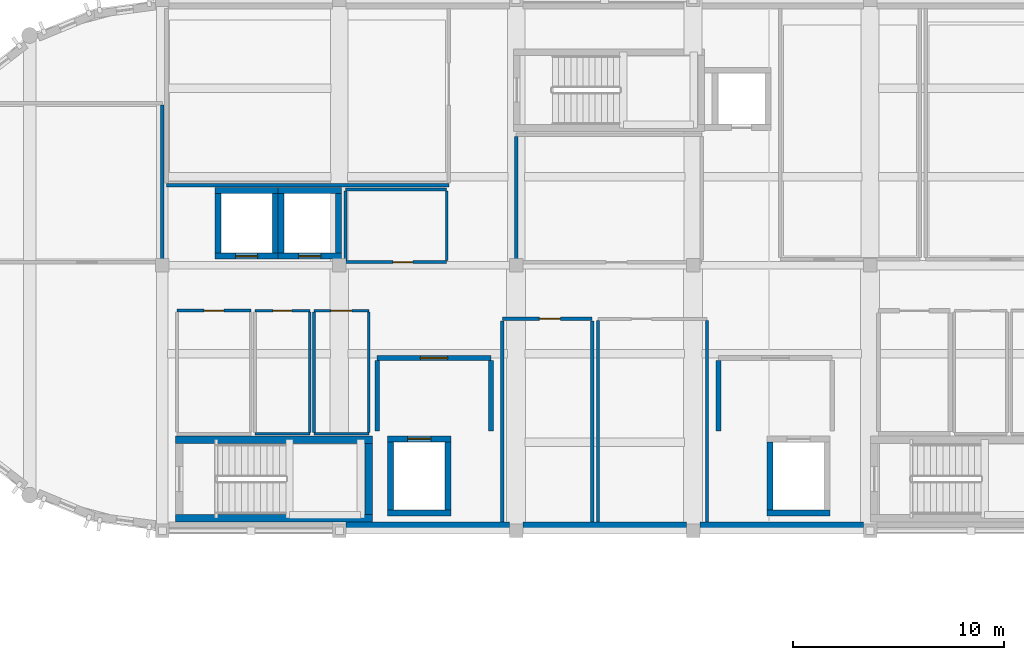
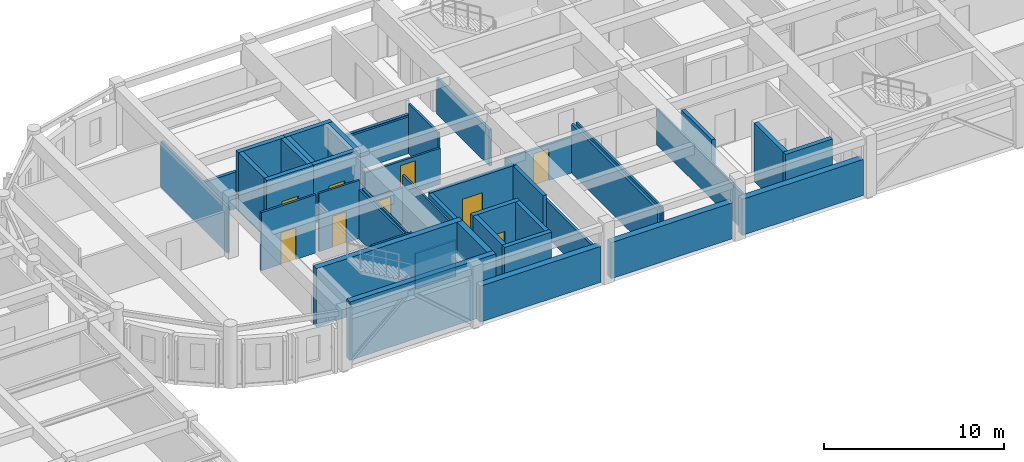
# One storey, part 14 of 31: 44 walls, 9 doors, 9 openings.
"""IFC4 building model written with IfcOpenShell, lengths in metres."""

from ifc_helpers import new_model, si_unit, direction, frame, frame_2d, origin, place, context, subcontext, project, spatial, rectangle, extrude, material, layer, layer_set, type_object, element, fill, save


model = new_model("IFC4")

# Units and contexts
model_context = context("Model", 3, precision=1e-05, world=origin(), true_north=direction((0.0, 1.0)))
body_context = subcontext(model_context, "Body", "Model", "MODEL_VIEW")
ifc_project = project(units=[si_unit("LENGTHUNIT", "METRE"), si_unit("AREAUNIT", "SQUARE_METRE"), si_unit("VOLUMEUNIT", "CUBIC_METRE"), si_unit("PLANEANGLEUNIT", "RADIAN"), si_unit("MASSUNIT", "GRAM", prefix="KILO")], contexts=[model_context])

# Site, building, storey
site_placement = place(None, origin())
site = spatial("IfcSite", under=ifc_project, at=site_placement, CompositionType="ELEMENT")
building_placement = place(site_placement, origin())
building = spatial("IfcBuilding", under=site, at=building_placement, Name="Tarnavel Promenade Courthouse", CompositionType="ELEMENT")
storey_placement = place(building_placement, frame((0.0, 0.0, 18.60009765625)))
storey = spatial("IfcBuildingStorey", under=building, at=storey_placement, Name="L05", CompositionType="ELEMENT", Elevation=18.60009765625)

# Wall
ifc_material_1 = material(Name="Acoustic Insulated Gypsum Stud Partition", Category="gypsum")
ifc_layer_1 = layer(ifc_material_1, 0.1650390625)
ifc_layer_set_1 = layer_set([ifc_layer_1], Name="Acoustic Insulated Gypsum Stud Partition")
wall_type_1 = type_object("IfcWallType", Name="Acoustic Insulated Gypsum Stud Partition WL-CHM-165 (165 mm)", PredefinedType="PARTITIONING", material=ifc_layer_set_1)
wall_1_placement = place(storey_placement, frame((75.60009765625, 92.04248046875, 0.0), z_axis=(0.0, 0.0, 1.0), x_axis=(0.0, 1.0, 0.0)))
element("IfcWall", 1, at=wall_1_placement, inside=storey, type_object=wall_type_1, Name="L05 L05 Judicial Panel Deliberation Salon Partition 0725", PredefinedType="PARTITIONING", context=body_context, shape_type="SweptSolid", body=[
    extrude(rectangle(XDim=5.864990234375, YDim=0.1650390625, at=frame_2d((2.9326171875, 0.0))), origin(), (0.0, 0.0, 1.0), 2.43994140625),
])

# Wall, opening, door
wall_2_placement = place(storey_placement, frame((74.93994140625, 89.260009765625, 0.0), z_axis=(0.0, 0.0, 1.0), x_axis=(1.0, 0.0, 0.0)))
wall_2 = element("IfcWall", 2, at=wall_2_placement, inside=storey, type_object=wall_type_1, Name="L05 Appellate Deliberation Room L05 Partition 0733", PredefinedType="PARTITIONING", context=body_context, shape_type="SweptSolid", body=[
    extrude(rectangle(XDim=4.26513671875, YDim=0.1650390625, at=frame_2d((2.132568359375, 0.0))), origin(), (0.0, 0.0, 1.0), 2.43994140625),
])
opening_1_placement = place(wall_2_placement, frame((1.7607421875, 0.0, 0.0)))
opening_1 = element("IfcOpeningElement", 3, at=opening_1_placement, cuts=wall_2, Name="Opening ID-03", PredefinedType="OPENING", context=body_context, shape_type="SweptSolid", body=[
    extrude(rectangle(XDim=1.0, YDim=2.14990234375, at=frame_2d((0.5, 1.074951171875))), frame((0.0, 0.092529296875, 0.0), z_axis=(0.0, -1.0, 0.0), x_axis=(1.0, 0.0, 0.0)), (0.0, 0.0, 1.0), 0.18505859375),
])
ifc_material_2 = material(Name="Acoustic Solid-Core Oak Jury Room Door")
door_type_1 = type_object("IfcDoorType", Name="Acoustic Solid-Core Oak Jury Room Door (DR-JRY-1000x2150)", OperationType="NOTDEFINED", PredefinedType="DOOR", material=ifc_material_2)
door_1_placement = place(opening_1_placement, origin())
door_1 = element("IfcDoor", 4, at=door_1_placement, inside=storey, type_object=door_type_1, Name="L05 Appellate Deliberation Room L05 Door 0210", OperationType="SINGLE_SWING_LEFT", OverallHeight=2.14990234375, OverallWidth=1.0, PredefinedType="DOOR", context=body_context, shape_type="SweptSolid", body=[
    extrude(rectangle(XDim=1.0, YDim=2.14990234375, at=frame_2d((0.5, 1.074951171875))), frame((0.0, 0.02490234375, 0.0), z_axis=(0.0, -1.0, 0.0), x_axis=(1.0, 0.0, 0.0)), (0.0, 0.0, 1.0), 0.050048828125),
])
fill(opening_1, door_1)

# Walls
wall_3_placement = place(storey_placement, frame((74.93994140625, 79.618896484375, 0.0), z_axis=(0.0, 0.0, 1.0), x_axis=(0.0, 1.0, 0.0)))
element("IfcWall", 5, at=wall_3_placement, inside=storey, type_object=wall_type_1, Name="L05 Appellate Deliberation Room L05 Partition 0734", PredefinedType="PARTITIONING", context=body_context, shape_type="SweptSolid", body=[
    extrude(rectangle(XDim=9.548583984375, YDim=0.1650390625, at=frame_2d((4.7744140625, 0.0))), origin(), (0.0, 0.0, 1.0), 2.43994140625),
])
wall_4_placement = place(storey_placement, frame((79.205078125, 89.16748046875, 0.0), z_axis=(0.0, 0.0, 1.0), x_axis=(0.0, -1.0, 0.0)))
element("IfcWall", 6, at=wall_4_placement, inside=storey, type_object=wall_type_1, Name="L05 Appellate Deliberation Room L05 Partition 0735", PredefinedType="PARTITIONING", context=body_context, shape_type="SweptSolid", body=[
    extrude(rectangle(XDim=9.548583984375, YDim=0.1650390625, at=frame_2d((4.7744140625, 0.0))), origin(), (0.0, 0.0, 1.0), 3.33984375),
])
wall_5_placement = place(storey_placement, frame((58.800048828125, 99.407470703125, 0.0), z_axis=(0.0, 0.0, 1.0), x_axis=(0.0, -1.0, 0.0)))
element("IfcWall", 7, at=wall_5_placement, inside=storey, type_object=wall_type_1, Name="L05 L05 West Drum Rotunda Chambers North Partition 0742", PredefinedType="PARTITIONING", context=body_context, shape_type="SweptSolid", body=[
    extrude(rectangle(XDim=7.364990234375, YDim=0.1650390625, at=frame_2d((3.6826171875, 0.0))), origin(), (0.0, 0.0, 1.0), 3.08984375),
])

# Wall, opening, door
ifc_material_3 = material(Name="Concrete C40/50", Category="concrete")
ifc_layer_2 = layer(ifc_material_3, 0.280029296875)
ifc_layer_set_2 = layer_set([ifc_layer_2], Name="Concrete C40/50")
wall_type_2 = type_object("IfcWallType", Name="Concrete C40/50 WL-SHR-280 (280 mm)", PredefinedType="SHEAR", material=ifc_layer_set_2)
wall_6_placement = place(storey_placement, frame((69.5, 83.56005859375, 0.0), z_axis=(0.0, 0.0, 1.0), x_axis=(1.0, 0.0, 0.0)))
wall_6 = element("IfcWall", 8, at=wall_6_placement, inside=storey, type_object=wall_type_2, Name="L05 L-FF1 Lift Shaft North Wall", PredefinedType="SHEAR", context=body_context, shape_type="SweptSolid", body=[
    extrude(rectangle(XDim=3.0, YDim=0.280029296875, at=frame_2d((1.5, 0.0))), origin(), (0.0, 0.0, 1.0), 3.9599609375),
])
opening_2_placement = place(wall_6_placement, frame((0.949951171875, 0.0, 0.0)))
opening_2 = element("IfcOpeningElement", 9, at=opening_2_placement, cuts=wall_6, Name="Opening LD-01", PredefinedType="OPENING", context=body_context, shape_type="SweptSolid", body=[
    extrude(rectangle(XDim=1.10009765625, YDim=2.199951171875, at=frame_2d((0.550048828125, 1.10009765625))), frame((0.0, 0.14990234375, 0.0), z_axis=(0.0, -1.0, 0.0), x_axis=(1.0, 0.0, 0.0)), (0.0, 0.0, 1.0), 0.300048828125),
])
ifc_material_4 = material(Name="Stainless Steel Firefighting Lift Landing Sliding Door", Category="steel")
door_type_2 = type_object("IfcDoorType", Name="Stainless Steel Firefighting Lift Landing Sliding Door (LD-FF-1100x2200)", OperationType="NOTDEFINED", PredefinedType="DOOR", material=ifc_material_4)
door_2_placement = place(opening_2_placement, origin())
door_2 = element("IfcDoor", 10, at=door_2_placement, inside=storey, type_object=door_type_2, Name="L05 L-FF1 Lift Sliding Landing Door", OperationType="DOUBLE_DOOR_SLIDING", OverallHeight=2.199951171875, OverallWidth=1.10009765625, PredefinedType="DOOR", context=body_context, shape_type="SweptSolid", body=[
    extrude(rectangle(XDim=1.10009765625, YDim=2.199951171875, at=frame_2d((0.550048828125, 1.10009765625))), frame((0.0, 0.02490234375, 0.0), z_axis=(0.0, -1.0, 0.0), x_axis=(1.0, 0.0, 0.0)), (0.0, 0.0, 1.0), 0.050048828125),
])
fill(opening_2, door_2)

# Walls
wall_7_placement = place(storey_placement, frame((72.5, 80.0400390625, 0.0), z_axis=(0.0, 0.0, 1.0), x_axis=(-1.0, 0.0, 0.0)))
element("IfcWall", 11, at=wall_7_placement, inside=storey, type_object=wall_type_2, Name="L05 L-FF1 Lift Shaft South Wall", PredefinedType="SHEAR", context=body_context, shape_type="SweptSolid", body=[
    extrude(rectangle(XDim=3.0, YDim=0.280029296875, at=frame_2d((1.5, 0.0))), origin(), (0.0, 0.0, 1.0), 3.9599609375),
])
for number, where, z_axis, x_axis, name in (
    (12, (69.639892578125, 80.179931640625, 0.0), (0.0, 0.0, 1.0), (0.0, 1.0, 0.0), "L05 L-FF1 Lift Shaft West Wall"),
    (13, (72.360107421875, 83.419921875, 0.0), (0.0, 0.0, 1.0), (0.0, -1.0, 0.0), "L05 L-FF1 Lift Shaft East Wall"),
):
    element("IfcWall", number, at=place(storey_placement, frame(where, z_axis=z_axis, x_axis=x_axis)), inside=storey, type_object=wall_type_2, Name=name, PredefinedType="SHEAR", context=body_context, shape_type="SweptSolid", body=[
        extrude(rectangle(XDim=3.239990234375, YDim=0.280029296875, at=frame_2d((1.6201171875, 0.0))), origin(), (0.0, 0.0, 1.0), 3.9599609375),
    ])
wall_8_placement = place(storey_placement, frame((90.5, 80.0400390625, 0.0), z_axis=(0.0, 0.0, 1.0), x_axis=(-1.0, 0.0, 0.0)))
element("IfcWall", 14, at=wall_8_placement, inside=storey, type_object=wall_type_2, Name="L05 L-FF2 Lift Shaft South Wall", PredefinedType="SHEAR", context=body_context, shape_type="SweptSolid", body=[
    extrude(rectangle(XDim=3.0, YDim=0.280029296875, at=frame_2d((1.5, 0.0))), origin(), (0.0, 0.0, 1.0), 3.9599609375),
])
wall_9_placement = place(storey_placement, frame((87.639892578125, 80.179931640625, 0.0), z_axis=(0.0, 0.0, 1.0), x_axis=(0.0, 1.0, 0.0)))
element("IfcWall", 15, at=wall_9_placement, inside=storey, type_object=wall_type_2, Name="L05 L-FF2 Lift Shaft West Wall", PredefinedType="SHEAR", context=body_context, shape_type="SweptSolid", body=[
    extrude(rectangle(XDim=3.239990234375, YDim=0.280029296875, at=frame_2d((1.6201171875, 0.0))), origin(), (0.0, 0.0, 1.0), 3.9599609375),
])
wall_10_placement = place(storey_placement, frame((61.300048828125, 95.360107421875, 0.0), z_axis=(0.0, 0.0, 1.0), x_axis=(1.0, 0.0, 0.0)))
element("IfcWall", 16, at=wall_10_placement, inside=storey, type_object=wall_type_2, Name="L05 L-PUB1 Lift Shaft North Wall", PredefinedType="SHEAR", context=body_context, shape_type="SweptSolid", body=[
    extrude(rectangle(XDim=3.0, YDim=0.280029296875, at=frame_2d((1.5, 0.0))), origin(), (0.0, 0.0, 1.0), 3.9599609375),
])

# Wall, opening, door
wall_11_placement = place(storey_placement, frame((64.300048828125, 92.239990234375, 0.0), z_axis=(0.0, 0.0, 1.0), x_axis=(-1.0, 0.0, 0.0)))
wall_11 = element("IfcWall", 17, at=wall_11_placement, inside=storey, type_object=wall_type_2, Name="L05 L-PUB1 Lift Shaft South Wall", PredefinedType="SHEAR", context=body_context, shape_type="SweptSolid", body=[
    extrude(rectangle(XDim=3.0, YDim=0.280029296875, at=frame_2d((1.5, 0.0))), origin(), (0.0, 0.0, 1.0), 3.9599609375),
])
opening_3_placement = place(wall_11_placement, frame((0.97509765625, 0.0, 0.0)))
opening_3 = element("IfcOpeningElement", 18, at=opening_3_placement, cuts=wall_11, Name="Opening LD-02", PredefinedType="OPENING", context=body_context, shape_type="SweptSolid", body=[
    extrude(rectangle(XDim=1.050048828125, YDim=2.199951171875, at=frame_2d((0.52490234375, 1.10009765625))), frame((0.0, 0.14990234375, 0.0), z_axis=(0.0, -1.0, 0.0), x_axis=(1.0, 0.0, 0.0)), (0.0, 0.0, 1.0), 0.300048828125),
])
ifc_material_5 = material(Name="Brushed Bronze Passenger Lift Landing Sliding Door")
door_type_3 = type_object("IfcDoorType", Name="Brushed Bronze Passenger Lift Landing Sliding Door (LD-PUB-1050x2200)", OperationType="NOTDEFINED", PredefinedType="DOOR", material=ifc_material_5)
door_3_placement = place(opening_3_placement, origin())
door_3 = element("IfcDoor", 19, at=door_3_placement, inside=storey, type_object=door_type_3, Name="L05 L-PUB1 Lift Sliding Landing Door", OperationType="DOUBLE_DOOR_SLIDING", OverallHeight=2.199951171875, OverallWidth=1.050048828125, PredefinedType="DOOR", context=body_context, shape_type="SweptSolid", body=[
    extrude(rectangle(XDim=1.050048828125, YDim=2.199951171875, at=frame_2d((0.52490234375, 1.10009765625))), frame((0.0, 0.02490234375, 0.0), z_axis=(0.0, -1.0, 0.0), x_axis=(1.0, 0.0, 0.0)), (0.0, 0.0, 1.0), 0.050048828125),
])
fill(opening_3, door_3)

# Walls
for number, where, z_axis, x_axis, name in (
    (20, (61.43994140625, 92.3798828125, 0.0), (0.0, 0.0, 1.0), (0.0, 1.0, 0.0), "L05 L-PUB1 Lift Shaft West Wall"),
    (21, (64.159912109375, 95.219970703125, 0.0), (0.0, 0.0, 1.0), (0.0, -1.0, 0.0), "L05 L-PUB1 Lift Shaft East Wall"),
):
    element("IfcWall", number, at=place(storey_placement, frame(where, z_axis=z_axis, x_axis=x_axis)), inside=storey, type_object=wall_type_2, Name=name, PredefinedType="SHEAR", context=body_context, shape_type="SweptSolid", body=[
        extrude(rectangle(XDim=2.840087890625, YDim=0.280029296875, at=frame_2d((1.419921875, 0.0))), origin(), (0.0, 0.0, 1.0), 3.9599609375),
    ])
wall_12_placement = place(storey_placement, frame((64.300048828125, 95.360107421875, 0.0), z_axis=(0.0, 0.0, 1.0), x_axis=(1.0, 0.0, 0.0)))
element("IfcWall", 22, at=wall_12_placement, inside=storey, type_object=wall_type_2, Name="L05 L-PUB2 Lift Shaft North Wall", PredefinedType="SHEAR", context=body_context, shape_type="SweptSolid", body=[
    extrude(rectangle(XDim=3.0, YDim=0.280029296875, at=frame_2d((1.5, 0.0))), origin(), (0.0, 0.0, 1.0), 3.9599609375),
])

# Wall, opening, door
wall_13_placement = place(storey_placement, frame((67.300048828125, 92.239990234375, 0.0), z_axis=(0.0, 0.0, 1.0), x_axis=(-1.0, 0.0, 0.0)))
wall_13 = element("IfcWall", 23, at=wall_13_placement, inside=storey, type_object=wall_type_2, Name="L05 L-PUB2 Lift Shaft South Wall", PredefinedType="SHEAR", context=body_context, shape_type="SweptSolid", body=[
    extrude(rectangle(XDim=3.0, YDim=0.280029296875, at=frame_2d((1.5, 0.0))), origin(), (0.0, 0.0, 1.0), 3.9599609375),
])
opening_4_placement = place(wall_13_placement, frame((0.97509765625, 0.0, 0.0)))
opening_4 = element("IfcOpeningElement", 24, at=opening_4_placement, cuts=wall_13, Name="Opening LD-02", PredefinedType="OPENING", context=body_context, shape_type="SweptSolid", body=[
    extrude(rectangle(XDim=1.050048828125, YDim=2.199951171875, at=frame_2d((0.52490234375, 1.10009765625))), frame((0.0, 0.14990234375, 0.0), z_axis=(0.0, -1.0, 0.0), x_axis=(1.0, 0.0, 0.0)), (0.0, 0.0, 1.0), 0.300048828125),
])
door_4_placement = place(opening_4_placement, origin())
door_4 = element("IfcDoor", 25, at=door_4_placement, inside=storey, type_object=door_type_3, Name="L05 L-PUB2 Lift Sliding Landing Door", OperationType="DOUBLE_DOOR_SLIDING", OverallHeight=2.199951171875, OverallWidth=1.050048828125, PredefinedType="DOOR", context=body_context, shape_type="SweptSolid", body=[
    extrude(rectangle(XDim=1.050048828125, YDim=2.199951171875, at=frame_2d((0.52490234375, 1.10009765625))), frame((0.0, 0.02490234375, 0.0), z_axis=(0.0, -1.0, 0.0), x_axis=(1.0, 0.0, 0.0)), (0.0, 0.0, 1.0), 0.050048828125),
])
fill(opening_4, door_4)

# Walls
for number, where, z_axis, x_axis, name in (
    (26, (64.43994140625, 92.3798828125, 0.0), (0.0, 0.0, 1.0), (0.0, 1.0, 0.0), "L05 L-PUB2 Lift Shaft West Wall"),
    (27, (67.159912109375, 95.219970703125, 0.0), (0.0, 0.0, 1.0), (0.0, -1.0, 0.0), "L05 L-PUB2 Lift Shaft East Wall"),
):
    element("IfcWall", number, at=place(storey_placement, frame(where, z_axis=z_axis, x_axis=x_axis)), inside=storey, type_object=wall_type_2, Name=name, PredefinedType="SHEAR", context=body_context, shape_type="SweptSolid", body=[
        extrude(rectangle(XDim=2.840087890625, YDim=0.280029296875, at=frame_2d((1.419921875, 0.0))), origin(), (0.0, 0.0, 1.0), 3.9599609375),
    ])
ifc_layer_3 = layer(ifc_material_3, 0.360107421875)
ifc_layer_set_3 = layer_set([ifc_layer_3], Name="Concrete C40/50")
wall_type_3 = type_object("IfcWallType", Name="Concrete C40/50 WL-SHR-360 (360 mm)", PredefinedType="SHEAR", material=ifc_layer_set_3)
for number, where, z_axis, x_axis, name in (
    (28, (59.419921875, 83.52001953125, 0.0), (0.0, 0.0, 1.0), (1.0, 0.0, 0.0), "L05 ST-01 Shear Core North Wall"),
    (29, (68.780029296875, 79.800048828125, 0.0), (0.0, 0.0, 1.0), (-1.0, 0.0, 0.0), "L05 ST-01 Shear Core South Wall"),
):
    element("IfcWall", number, at=place(storey_placement, frame(where, z_axis=z_axis, x_axis=x_axis)), inside=storey, type_object=wall_type_3, Name=name, PredefinedType="SHEAR", context=body_context, shape_type="SweptSolid", body=[
        extrude(rectangle(XDim=9.360107421875, YDim=0.360107421875, at=frame_2d((4.68017578125, 0.0))), origin(), (0.0, 0.0, 1.0), 3.9599609375),
    ])
wall_14_placement = place(storey_placement, frame((68.60009765625, 83.340087890625, 0.0), z_axis=(0.0, 0.0, 1.0), x_axis=(0.0, -1.0, 0.0)))
element("IfcWall", 30, at=wall_14_placement, inside=storey, type_object=wall_type_3, Name="L05 ST-01 Shear Core East Wall", PredefinedType="SHEAR", context=body_context, shape_type="SweptSolid", body=[
    extrude(rectangle(XDim=3.360107421875, YDim=0.360107421875, at=frame_2d((1.68017578125, 0.0))), origin(), (0.0, 0.0, 1.0), 3.9599609375),
])

# Wall, opening, door
ifc_material_6 = material(Name="Concrete Masonry Fire Compartment Wall", Category="masonry")
ifc_layer_4 = layer(ifc_material_6, 0.22998046875)
ifc_layer_set_4 = layer_set([ifc_layer_4], Name="Concrete Masonry Fire Compartment Wall")
wall_type_4 = type_object("IfcWallType", Name="Concrete Masonry Fire Compartment Wall WL-CMP-230 (230 mm)", PredefinedType="STANDARD", material=ifc_layer_set_4)
wall_15_placement = place(storey_placement, frame((69.0, 87.39990234375, 0.0), z_axis=(0.0, 0.0, 1.0), x_axis=(1.0, 0.0, 0.0)))
wall_15 = element("IfcWall", 31, at=wall_15_placement, inside=storey, type_object=wall_type_4, Name="L05 Firefighting Lobby L-FF1 Partition 0656", PredefinedType="STANDARD", context=body_context, shape_type="SweptSolid", body=[
    extrude(rectangle(XDim=5.39990234375, YDim=0.22998046875, at=frame_2d((2.699951171875, 0.0))), origin(), (0.0, 0.0, 1.0), 3.33984375),
])
opening_5_placement = place(wall_15_placement, frame((2.050048828125, 0.0, 0.0)))
opening_5 = element("IfcOpeningElement", 32, at=opening_5_placement, cuts=wall_15, Name="Opening FD-03", PredefinedType="OPENING", context=body_context, shape_type="SweptSolid", body=[
    extrude(rectangle(XDim=1.300048828125, YDim=2.199951171875, at=frame_2d((0.64990234375, 1.10009765625))), frame((0.0, 0.125, 0.0), z_axis=(0.0, -1.0, 0.0), x_axis=(1.0, 0.0, 0.0)), (0.0, 0.0, 1.0), 0.25),
])
ifc_material_7 = material(Name="Smoke-Sealed Firefighting Lobby Fire Door")
door_type_4 = type_object("IfcDoorType", Name="Smoke-Sealed Firefighting Lobby Fire Door (DR-FFL-1300x2200)", OperationType="NOTDEFINED", PredefinedType="DOOR", material=ifc_material_7)
door_5_placement = place(opening_5_placement, origin())
door_5 = element("IfcDoor", 33, at=door_5_placement, inside=storey, type_object=door_type_4, Name="L05 Firefighting Lobby L-FF1 Door 0188", OperationType="SINGLE_SWING_RIGHT", OverallHeight=2.199951171875, OverallWidth=1.300048828125, PredefinedType="DOOR", context=body_context, shape_type="SweptSolid", body=[
    extrude(rectangle(XDim=1.300048828125, YDim=2.199951171875, at=frame_2d((0.64990234375, 1.10009765625))), frame((0.0, 0.02490234375, 0.0), z_axis=(0.0, -1.0, 0.0), x_axis=(1.0, 0.0, 0.0)), (0.0, 0.0, 1.0), 0.050048828125),
])
fill(opening_5, door_5)

# Walls
for number, where, z_axis, x_axis, name in (
    (34, (69.0, 83.925048828125, 0.0), (0.0, 0.0, 1.0), (0.0, 1.0, 0.0), "L05 Firefighting Lobby L-FF1 Partition 0657"),
    (35, (74.39990234375, 87.27490234375, 0.0), (0.0, 0.0, 1.0), (0.0, -1.0, 0.0), "L05 Firefighting Lobby L-FF1 Partition 0658"),
    (36, (85.199951171875, 83.925048828125, 0.0), (0.0, 0.0, 1.0), (0.0, 1.0, 0.0), "L05 Firefighting Lobby L-FF2 Partition 0660"),
):
    element("IfcWall", number, at=place(storey_placement, frame(where, z_axis=z_axis, x_axis=x_axis)), inside=storey, type_object=wall_type_4, Name=name, PredefinedType="STANDARD", context=body_context, shape_type="SweptSolid", body=[
        extrude(rectangle(XDim=3.349853515625, YDim=0.22998046875, at=frame_2d((1.6748046875, 0.0))), origin(), (0.0, 0.0, 1.0), 3.33984375),
    ])
ifc_material_8 = material(Name="Cream Brick Insulated Cavity Facade Assembly", Category="masonry")
ifc_layer_5 = layer(ifc_material_8, 0.409912109375)
ifc_layer_set_5 = layer_set([ifc_layer_5], Name="Cream Brick Insulated Cavity Facade Assembly")
wall_type_5 = type_object("IfcWallType", Name="Cream Brick Insulated Cavity Facade Assembly WL-EXT-410 (410 mm)", PredefinedType="STANDARD", material=ifc_layer_set_5)
wall_16_placement = place(storey_placement, frame((75.282958984375, 79.419921875, 0.0), z_axis=(0.0, 0.0, 1.0), x_axis=(-1.0, 0.0, 0.0)))
element("IfcWall", 37, at=wall_16_placement, inside=storey, type_object=wall_type_5, Name="L05 Bar South Limestone Facade 0112", PredefinedType="STANDARD", context=body_context, shape_type="SweptSolid", body=[
    extrude(rectangle(XDim=7.765869140625, YDim=0.409912109375, at=frame_2d((3.8828125, 0.0))), origin(), (0.0, 0.0, 1.0), 2.43994140625),
])
for number, where, z_axis, x_axis, name in (
    (38, (83.68310546875, 79.419921875, 0.0), (0.0, 0.0, 1.0), (-1.0, 0.0, 0.0), "L05 Bar South Limestone Facade 0113"),
    (39, (92.0830078125, 79.419921875, 0.0), (0.0, 0.0, 1.0), (-1.0, 0.0, 0.0), "L05 Bar South Limestone Facade 0114"),
):
    element("IfcWall", number, at=place(storey_placement, frame(where, z_axis=z_axis, x_axis=x_axis)), inside=storey, type_object=wall_type_5, Name=name, PredefinedType="STANDARD", context=body_context, shape_type="SweptSolid", body=[
        extrude(rectangle(XDim=7.76611328125, YDim=0.409912109375, at=frame_2d((3.883056640625, 0.0))), origin(), (0.0, 0.0, 1.0), 2.43994140625),
    ])
ifc_material_9 = material(Name="Double-Stud Acoustic Courtroom Partition Assembly", Category="gypsum")
ifc_layer_6 = layer(ifc_material_9, 0.18505859375)
ifc_layer_set_6 = layer_set([ifc_layer_6], Name="Double-Stud Acoustic Courtroom Partition Assembly")
wall_type_6 = type_object("IfcWallType", Name="Double-Stud Acoustic Courtroom Partition Assembly WL-CRT-185 (185 mm)", PredefinedType="PARTITIONING", material=ifc_layer_set_6)
wall_17_placement = place(storey_placement, frame((72.39990234375, 95.60009765625, 0.0), z_axis=(0.0, 0.0, 1.0), x_axis=(-1.0, 0.0, 0.0)))
element("IfcWall", 40, at=wall_17_placement, inside=storey, type_object=wall_type_6, Name="L05 Appellate Panel Courtroom C Partition 0716", PredefinedType="PARTITIONING", context=body_context, shape_type="SweptSolid", body=[
    extrude(rectangle(XDim=13.39990234375, YDim=0.18505859375, at=frame_2d((6.699951171875, 0.0))), origin(), (0.0, 0.0, 1.0), 2.489990234375),
])

# Wall, opening, door
ifc_material_10 = material(Name="Metal-Stud Acoustic Gypsum Partition", Category="gypsum")
ifc_layer_7 = layer(ifc_material_10, 0.135009765625)
ifc_layer_set_7 = layer_set([ifc_layer_7], Name="Metal-Stud Acoustic Gypsum Partition")
wall_type_7 = type_object("IfcWallType", Name="Metal-Stud Acoustic Gypsum Partition WL-OFF-135 (135 mm)", PredefinedType="PARTITIONING", material=ifc_layer_set_7)
wall_18_placement = place(storey_placement, frame((59.5, 89.64990234375, 0.0), z_axis=(0.0, 0.0, 1.0), x_axis=(1.0, 0.0, 0.0)))
wall_18 = element("IfcWall", 41, at=wall_18_placement, inside=storey, type_object=wall_type_7, Name="L05 L05 Bailiffs' Duty Room Partition 0678", PredefinedType="PARTITIONING", context=body_context, shape_type="SweptSolid", body=[
    extrude(rectangle(XDim=3.5, YDim=0.135009765625, at=frame_2d((1.75, 0.0))), origin(), (0.0, 0.0, 1.0), 3.94482421875),
])
opening_6_placement = place(wall_18_placement, frame((1.27490234375, 0.0, 0.0)))
opening_6 = element("IfcOpeningElement", 42, at=opening_6_placement, cuts=wall_18, Name="Opening ID-06", PredefinedType="OPENING", context=body_context, shape_type="SweptSolid", body=[
    extrude(rectangle(XDim=0.949951171875, YDim=2.14990234375, at=frame_2d((0.47509765625, 1.074951171875))), frame((0.0, 0.077392578125, 0.0), z_axis=(0.0, -1.0, 0.0), x_axis=(1.0, 0.0, 0.0)), (0.0, 0.0, 1.0), 0.155029296875),
])
ifc_material_11 = material(Name="Acoustic Timber Veneer Office Door", Category="wood")
door_type_5 = type_object("IfcDoorType", Name="Acoustic Timber Veneer Office Door (DR-OFF-0950x2150)", OperationType="NOTDEFINED", PredefinedType="DOOR", material=ifc_material_11)
door_6_placement = place(opening_6_placement, origin())
door_6 = element("IfcDoor", 43, at=door_6_placement, inside=storey, type_object=door_type_5, Name="L05 L05 Bailiffs' Duty Room Door 0194", OperationType="SINGLE_SWING_RIGHT", OverallHeight=2.14990234375, OverallWidth=0.949951171875, PredefinedType="DOOR", context=body_context, shape_type="SweptSolid", body=[
    extrude(rectangle(XDim=0.949951171875, YDim=2.14990234375, at=frame_2d((0.47509765625, 1.074951171875))), frame((0.0, 0.02490234375, 0.0), z_axis=(0.0, -1.0, 0.0), x_axis=(1.0, 0.0, 0.0)), (0.0, 0.0, 1.0), 0.050048828125),
])
fill(opening_6, door_6)

# Wall
wall_19_placement = place(storey_placement, frame((67.5, 95.39990234375, 0.0), z_axis=(0.0, 0.0, 1.0), x_axis=(1.0, 0.0, 0.0)))
element("IfcWall", 44, at=wall_19_placement, inside=storey, type_object=wall_type_7, Name="L05 L05 Judicial Case Clerks' Room Partition 0719", PredefinedType="PARTITIONING", context=body_context, shape_type="SweptSolid", body=[
    extrude(rectangle(XDim=4.800048828125, YDim=0.135009765625, at=frame_2d((2.39990234375, 0.0))), origin(), (0.0, 0.0, 1.0), 2.489990234375),
])

# Wall, opening, door
wall_20_placement = place(storey_placement, frame((72.300048828125, 91.949951171875, 0.0), z_axis=(0.0, 0.0, 1.0), x_axis=(-1.0, 0.0, 0.0)))
wall_20 = element("IfcWall", 45, at=wall_20_placement, inside=storey, type_object=wall_type_7, Name="L05 L05 Judicial Case Clerks' Room Partition 0720", PredefinedType="PARTITIONING", context=body_context, shape_type="SweptSolid", body=[
    extrude(rectangle(XDim=4.800048828125, YDim=0.135009765625, at=frame_2d((2.39990234375, 0.0))), origin(), (0.0, 0.0, 1.0), 2.43994140625),
])
opening_7_placement = place(wall_20_placement, frame((1.610107421875, 0.0, 0.0)))
opening_7 = element("IfcOpeningElement", 46, at=opening_7_placement, cuts=wall_20, Name="Opening ID-06", PredefinedType="OPENING", context=body_context, shape_type="SweptSolid", body=[
    extrude(rectangle(XDim=0.949951171875, YDim=2.14990234375, at=frame_2d((0.47509765625, 1.074951171875))), frame((0.0, 0.077392578125, 0.0), z_axis=(0.0, -1.0, 0.0), x_axis=(1.0, 0.0, 0.0)), (0.0, 0.0, 1.0), 0.155029296875),
])
door_7_placement = place(opening_7_placement, origin())
door_7 = element("IfcDoor", 47, at=door_7_placement, inside=storey, type_object=door_type_5, Name="L05 L05 Judicial Case Clerks' Room Door 0206", OperationType="SINGLE_SWING_LEFT", OverallHeight=2.14990234375, OverallWidth=0.949951171875, PredefinedType="DOOR", context=body_context, shape_type="SweptSolid", body=[
    extrude(rectangle(XDim=0.949951171875, YDim=2.14990234375, at=frame_2d((0.47509765625, 1.074951171875))), frame((0.0, 0.02490234375, 0.0), z_axis=(0.0, -1.0, 0.0), x_axis=(1.0, 0.0, 0.0)), (0.0, 0.0, 1.0), 0.050048828125),
])
fill(opening_7, door_7)

# Walls
wall_21_placement = place(storey_placement, frame((67.5, 92.027587890625, 0.0), z_axis=(0.0, 0.0, 1.0), x_axis=(0.0, 1.0, 0.0)))
element("IfcWall", 48, at=wall_21_placement, inside=storey, type_object=wall_type_7, Name="L05 L05 Judicial Case Clerks' Room Partition 0721", PredefinedType="PARTITIONING", context=body_context, shape_type="SweptSolid", body=[
    extrude(rectangle(XDim=3.294921875, YDim=0.135009765625, at=frame_2d((1.6474609375, 0.0))), origin(), (0.0, 0.0, 1.0), 2.43994140625),
])
wall_22_placement = place(storey_placement, frame((72.300048828125, 95.322509765625, 0.0), z_axis=(0.0, 0.0, 1.0), x_axis=(0.0, -1.0, 0.0)))
element("IfcWall", 49, at=wall_22_placement, inside=storey, type_object=wall_type_7, Name="L05 L05 Judicial Case Clerks' Room Partition 0722", PredefinedType="PARTITIONING", context=body_context, shape_type="SweptSolid", body=[
    extrude(rectangle(XDim=3.294921875, YDim=0.135009765625, at=frame_2d((1.6474609375, 0.0))), origin(), (0.0, 0.0, 1.0), 3.389892578125),
])
wall_23_placement = place(storey_placement, frame((79.485107421875, 79.618896484375, 0.0), z_axis=(0.0, 0.0, 1.0), x_axis=(0.0, 1.0, 0.0)))
element("IfcWall", 50, at=wall_23_placement, inside=storey, type_object=wall_type_7, Name="L05 Judicial Clerks' Drafting Office L05 Partition 0737", PredefinedType="PARTITIONING", context=body_context, shape_type="SweptSolid", body=[
    extrude(rectangle(XDim=9.563720703125, YDim=0.135009765625, at=frame_2d((4.78173828125, 0.0))), origin(), (0.0, 0.0, 1.0), 3.33984375),
])
wall_24_placement = place(storey_placement, frame((84.659912109375, 89.1826171875, 0.0), z_axis=(0.0, 0.0, 1.0), x_axis=(0.0, -1.0, 0.0)))
element("IfcWall", 51, at=wall_24_placement, inside=storey, type_object=wall_type_7, Name="L05 Judicial Clerks' Drafting Office L05 Partition 0738", PredefinedType="PARTITIONING", context=body_context, shape_type="SweptSolid", body=[
    extrude(rectangle(XDim=9.563720703125, YDim=0.135009765625, at=frame_2d((4.78173828125, 0.0))), origin(), (0.0, 0.0, 1.0), 2.43994140625),
])

# Wall, opening, door
ifc_material_12 = material(Name="Moisture-Resistant Tile-Backed Stud Partition", Category="gypsum")
ifc_layer_8 = layer(ifc_material_12, 0.125)
ifc_layer_set_8 = layer_set([ifc_layer_8], Name="Moisture-Resistant Tile-Backed Stud Partition")
wall_type_8 = type_object("IfcWallType", Name="Moisture-Resistant Tile-Backed Stud Partition WL-WET-125 (125 mm)", PredefinedType="PARTITIONING", material=ifc_layer_set_8)
wall_25_placement = place(storey_placement, frame((63.199951171875, 89.64990234375, 0.0), z_axis=(0.0, 0.0, 1.0), x_axis=(1.0, 0.0, 0.0)))
wall_25 = element("IfcWall", 52, at=wall_25_placement, inside=storey, type_object=wall_type_8, Name="L05 Public WC Partition 0662", PredefinedType="PARTITIONING", context=body_context, shape_type="SweptSolid", body=[
    extrude(rectangle(XDim=2.60009765625, YDim=0.125, at=frame_2d((1.300048828125, 0.0))), origin(), (0.0, 0.0, 1.0), 3.94482421875),
])
opening_8_placement = place(wall_25_placement, frame((0.85009765625, 0.0, 0.0)))
opening_8 = element("IfcOpeningElement", 53, at=opening_8_placement, cuts=wall_25, Name="Opening ID-08", PredefinedType="OPENING", context=body_context, shape_type="SweptSolid", body=[
    extrude(rectangle(XDim=0.89990234375, YDim=2.10009765625, at=frame_2d((0.449951171875, 1.050048828125))), frame((0.0, 0.072509765625, 0.0), z_axis=(0.0, -1.0, 0.0), x_axis=(1.0, 0.0, 0.0)), (0.0, 0.0, 1.0), 0.14501953125),
])
ifc_material_13 = material(Name="Moisture-Resistant Laminate Restroom Door")
door_type_6 = type_object("IfcDoorType", Name="Moisture-Resistant Laminate Restroom Door (DR-WC-0900x2100)", OperationType="NOTDEFINED", PredefinedType="DOOR", material=ifc_material_13)
door_8_placement = place(opening_8_placement, origin())
door_8 = element("IfcDoor", 54, at=door_8_placement, inside=storey, type_object=door_type_6, Name="L05 Public WC Door 0190", OperationType="SINGLE_SWING_RIGHT", OverallHeight=2.10009765625, OverallWidth=0.89990234375, PredefinedType="DOOR", context=body_context, shape_type="SweptSolid", body=[
    extrude(rectangle(XDim=0.89990234375, YDim=2.10009765625, at=frame_2d((0.449951171875, 1.050048828125))), frame((0.0, 0.02490234375, 0.0), z_axis=(0.0, -1.0, 0.0), x_axis=(1.0, 0.0, 0.0)), (0.0, 0.0, 1.0), 0.050048828125),
])
fill(opening_8, door_8)

# Walls
wall_26_placement = place(storey_placement, frame((65.800048828125, 83.800048828125, 0.0), z_axis=(0.0, 0.0, 1.0), x_axis=(-1.0, 0.0, 0.0)))
element("IfcWall", 55, at=wall_26_placement, inside=storey, type_object=wall_type_8, Name="L05 Public WC Partition 0663", PredefinedType="PARTITIONING", context=body_context, shape_type="SweptSolid", body=[
    extrude(rectangle(XDim=2.60009765625, YDim=0.125, at=frame_2d((1.300048828125, 0.0))), origin(), (0.0, 0.0, 1.0), 3.94482421875),
])
wall_27_placement = place(storey_placement, frame((65.800048828125, 89.577392578125, 0.0), z_axis=(0.0, 0.0, 1.0), x_axis=(0.0, -1.0, 0.0)))
element("IfcWall", 56, at=wall_27_placement, inside=storey, type_object=wall_type_8, Name="L05 Public WC Partition 0665", PredefinedType="PARTITIONING", context=body_context, shape_type="SweptSolid", body=[
    extrude(rectangle(XDim=5.704833984375, YDim=0.125, at=frame_2d((2.8525390625, 0.0))), origin(), (0.0, 0.0, 1.0), 3.33984375),
])

# Wall, opening, door
wall_28_placement = place(storey_placement, frame((66.0, 89.64990234375, 0.0), z_axis=(0.0, 0.0, 1.0), x_axis=(1.0, 0.0, 0.0)))
wall_28 = element("IfcWall", 57, at=wall_28_placement, inside=storey, type_object=wall_type_8, Name="L05 Accessible WC Partition 0666", PredefinedType="PARTITIONING", context=body_context, shape_type="SweptSolid", body=[
    extrude(rectangle(XDim=2.60009765625, YDim=0.125, at=frame_2d((1.300048828125, 0.0))), origin(), (0.0, 0.0, 1.0), 2.43994140625),
])
opening_9_placement = place(wall_28_placement, frame((0.800048828125, 0.0, 0.0)))
opening_9 = element("IfcOpeningElement", 58, at=opening_9_placement, cuts=wall_28, Name="Opening ID-09", PredefinedType="OPENING", context=body_context, shape_type="SweptSolid", body=[
    extrude(rectangle(XDim=1.0, YDim=2.10009765625, at=frame_2d((0.5, 1.050048828125))), frame((0.0, 0.072509765625, 0.0), z_axis=(0.0, -1.0, 0.0), x_axis=(1.0, 0.0, 0.0)), (0.0, 0.0, 1.0), 0.14501953125),
])
ifc_material_14 = material(Name="Wide Accessible Restroom Outward Door")
door_type_7 = type_object("IfcDoorType", Name="Wide Accessible Restroom Outward Door (DR-AWC-1000x2100)", OperationType="NOTDEFINED", PredefinedType="DOOR", material=ifc_material_14)
door_9_placement = place(opening_9_placement, origin())
door_9 = element("IfcDoor", 59, at=door_9_placement, inside=storey, type_object=door_type_7, Name="L05 Accessible WC Door 0191", OperationType="SINGLE_SWING_LEFT", OverallHeight=2.10009765625, OverallWidth=1.0, PredefinedType="DOOR", context=body_context, shape_type="SweptSolid", body=[
    extrude(rectangle(XDim=1.0, YDim=2.10009765625, at=frame_2d((0.5, 1.050048828125))), frame((0.0, 0.02490234375, 0.0), z_axis=(0.0, -1.0, 0.0), x_axis=(1.0, 0.0, 0.0)), (0.0, 0.0, 1.0), 0.050048828125),
])
fill(opening_9, door_9)

# Walls
wall_29_placement = place(storey_placement, frame((68.60009765625, 83.800048828125, 0.0), z_axis=(0.0, 0.0, 1.0), x_axis=(-1.0, 0.0, 0.0)))
element("IfcWall", 60, at=wall_29_placement, inside=storey, type_object=wall_type_8, Name="L05 Accessible WC Partition 0667", PredefinedType="PARTITIONING", context=body_context, shape_type="SweptSolid", body=[
    extrude(rectangle(XDim=2.60009765625, YDim=0.125, at=frame_2d((1.300048828125, 0.0))), origin(), (0.0, 0.0, 1.0), 2.43994140625),
])
for number, where, z_axis, x_axis, name in (
    (61, (66.0, 83.87255859375, 0.0), (0.0, 0.0, 1.0), (0.0, 1.0, 0.0), "L05 Accessible WC Partition 0668"),
    (62, (68.60009765625, 89.577392578125, 0.0), (0.0, 0.0, 1.0), (0.0, -1.0, 0.0), "L05 Accessible WC Partition 0669"),
):
    element("IfcWall", number, at=place(storey_placement, frame(where, z_axis=z_axis, x_axis=x_axis)), inside=storey, type_object=wall_type_8, Name=name, PredefinedType="PARTITIONING", context=body_context, shape_type="SweptSolid", body=[
        extrude(rectangle(XDim=5.704833984375, YDim=0.125, at=frame_2d((2.8525390625, 0.0))), origin(), (0.0, 0.0, 1.0), 3.33984375),
    ])

save(model, "model.ifc")
